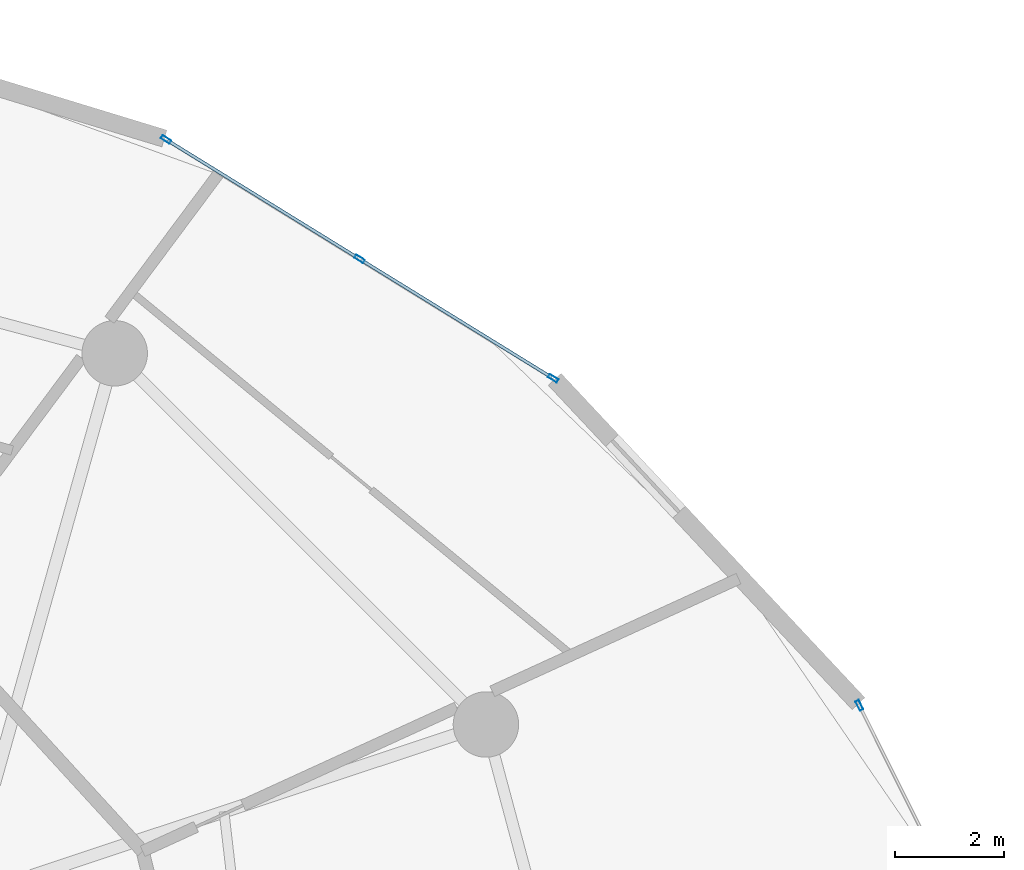
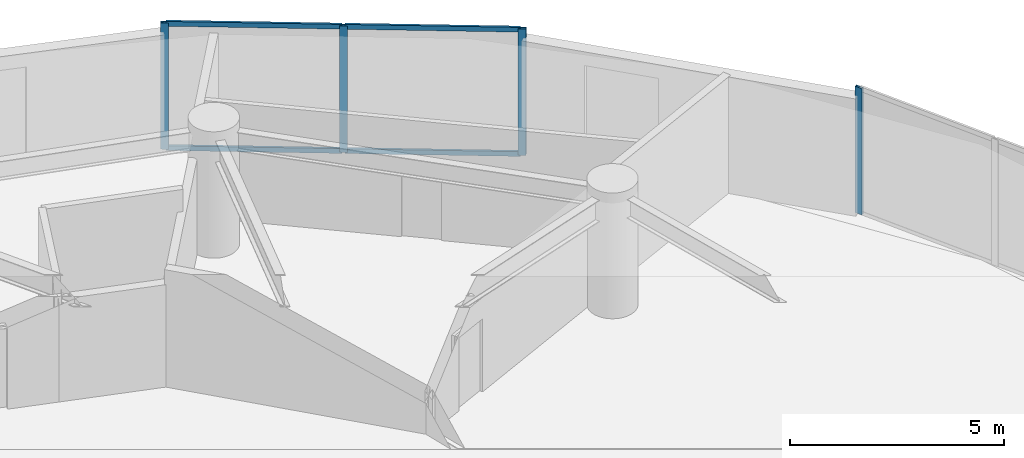
# One storey, part 17 of 24: 8 members, 2 elements without a shape of their own.
"""IFC4 building model written with IfcOpenShell, lengths in metres."""

from ifc_helpers import new_model, si_unit, direction, frame, origin, origin_2d, place, context, subcontext, project, spatial, hollow_rectangle, extrude, source, transform, mapped, material, layer, layer_set, material_profile, profile_set, type_object, element, aggregate, save


model = new_model("IFC4")

# Units and contexts
model_context = context("Model", 3, precision=1e-05, world=origin(), true_north=direction((0.0, 1.0)))
body_context = subcontext(model_context, "Body", "Model", "MODEL_VIEW")
ifc_project = project(units=[si_unit("LENGTHUNIT", "METRE"), si_unit("AREAUNIT", "SQUARE_METRE"), si_unit("VOLUMEUNIT", "CUBIC_METRE"), si_unit("PLANEANGLEUNIT", "RADIAN"), si_unit("MASSUNIT", "GRAM", prefix="KILO")], contexts=[model_context])

# Site, building, storey
site_placement = place(None, origin())
site = spatial("IfcSite", under=ifc_project, at=site_placement, CompositionType="ELEMENT")
building_placement = place(site_placement, origin())
building = spatial("IfcBuilding", under=site, at=building_placement, Name="Solvirekh Grand Hotel", CompositionType="ELEMENT")
storey_placement = place(building_placement, frame((0.0, 0.0, 86.0)))
storey = spatial("IfcBuildingStorey", under=building, at=storey_placement, Name="L21", CompositionType="ELEMENT", Elevation=86.0)

# Curtain wall, member
ifc_material = material(Name="Anodized Bronze Aluminium 6063-T6", Category="aluminium")
ifc_layer = layer(ifc_material, 0.18994140625)
ifc_layer_set = layer_set([ifc_layer], Name="Anodized Bronze Aluminium 6063-T6")
curtain_wall_type = type_object("IfcCurtainWallType", Name="CW_Sys2_LowZoneFlushBronzeCW", PredefinedType="NOTDEFINED", material=ifc_layer_set)
curtain_wall_1_placement = place(storey_placement, origin())
curtain_wall_1 = element("IfcCurtainWall", 1, at=curtain_wall_1_placement, inside=storey, type_object=curtain_wall_type, Name="L21 unitised bronze-glass curtain wall CW-L21-C03", PredefinedType="NOTDEFINED")
ifc_material_profile_1 = material_profile(ifc_material, hollow_rectangle(XDim=0.070068359375, YDim=0.18994140625, WallThickness=0.0048828125, at=origin_2d()), Name="ALU RHS 190X70X5")
ifc_profile_set_1 = profile_set([ifc_material_profile_1], Name="Anodized Bronze Aluminium 6063-T6")
member_type_1 = type_object("IfcMemberType", Name="CWMullion_Sys2", PredefinedType="MULLION", material=ifc_profile_set_1)
shared_shape_1 = source(origin(), body_context, "Body", "SweptSolid", [
    extrude(hollow_rectangle(XDim=0.070068359375, YDim=0.18994140625, WallThickness=0.0048828125, at=origin_2d()), origin(), (0.0, 0.0, 1.0), 3.60009765625),
])
member_1_placement = place(storey_placement, frame((22.95751953125, 9.651611328125, 0.0), z_axis=(0.0, 0.0, 1.0), x_axis=(-0.89486802482, -0.44633083935, 0.0)))
member_1 = element("IfcMember", 2, at=member_1_placement, type_object=member_type_1, Name="U02 mullion 3", PredefinedType="MULLION", context=body_context, shape_type="MappedRepresentation", body=[
    mapped(shared_shape_1, transform((0.0, 0.0, 0.0), x_axis=(1.0, 0.0, 0.0), y_axis=(0.0, 1.0, 0.0), z_axis=(0.0, 0.0, 1.0), scale=1.0)),
])
aggregate(curtain_wall_1, [member_1])

# Curtain wall, members
curtain_wall_2_placement = place(storey_placement, origin())
curtain_wall_2 = element("IfcCurtainWall", 3, at=curtain_wall_2_placement, inside=storey, type_object=curtain_wall_type, Name="L21 unitised bronze-glass curtain wall CW-L21-C05", PredefinedType="NOTDEFINED")
member_2_placement = place(storey_placement, frame((17.34033203125, 15.6484375, 0.0), z_axis=(0.0, 0.0, 1.0), x_axis=(-0.525118316572, -0.851029231931, 0.0)))
member_2 = element("IfcMember", 4, at=member_2_placement, type_object=member_type_1, Name="U02 mullion 1", PredefinedType="MULLION", context=body_context, shape_type="MappedRepresentation", body=[
    mapped(shared_shape_1, transform((0.0, 0.0, 0.0), x_axis=(1.0, 0.0, 0.0), y_axis=(0.0, 1.0, 0.0), z_axis=(0.0, 0.0, 1.0), scale=1.0)),
])
member_3_placement = place(storey_placement, frame((13.7900390625, 17.839111328125, 0.0), z_axis=(0.0, 0.0, 1.0), x_axis=(-0.525118316572, -0.851029231931, 0.0)))
member_3 = element("IfcMember", 5, at=member_3_placement, type_object=member_type_1, Name="U02 mullion 2", PredefinedType="MULLION", context=body_context, shape_type="MappedRepresentation", body=[
    mapped(shared_shape_1, transform((0.0, 0.0, 0.0), x_axis=(1.0, 0.0, 0.0), y_axis=(0.0, 1.0, 0.0), z_axis=(0.0, 0.0, 1.0), scale=1.0)),
])
member_4_placement = place(storey_placement, frame((10.23974609375, 20.029541015625, 0.0), z_axis=(0.0, 0.0, 1.0), x_axis=(-0.525118316572, -0.851029231931, 0.0)))
member_4 = element("IfcMember", 6, at=member_4_placement, type_object=member_type_1, Name="U02 mullion 3", PredefinedType="MULLION", context=body_context, shape_type="MappedRepresentation", body=[
    mapped(shared_shape_1, transform((0.0, 0.0, 0.0), x_axis=(1.0, 0.0, 0.0), y_axis=(0.0, 1.0, 0.0), z_axis=(0.0, 0.0, 1.0), scale=1.0)),
])
ifc_material_profile_2 = material_profile(ifc_material, hollow_rectangle(XDim=0.06005859375, YDim=0.135009765625, WallThickness=0.00390625, at=origin_2d()), Name="ALU RHS 135X60X4")
ifc_profile_set_2 = profile_set([ifc_material_profile_2], Name="Anodized Bronze Aluminium 6063-T6")
member_type_2 = type_object("IfcMemberType", Name="CWTransom_Sys2", PredefinedType="USERDEFINED", material=ifc_profile_set_2)
shared_shape_2 = source(origin(), body_context, "Body", "SweptSolid", [
    extrude(hollow_rectangle(XDim=0.06005859375, YDim=0.135009765625, WallThickness=0.00390625, at=origin_2d()), origin(), (0.0, 0.0, 1.0), 4.101806640625),
])
member_5_placement = place(storey_placement, frame((17.310546875, 15.666748046875, 0.030029296875), z_axis=(-0.851040540316, 0.525099989276, 0.0), x_axis=(-0.525099989276, -0.851040540316, 0.0)))
member_5 = element("IfcMember", 7, at=member_5_placement, type_object=member_type_2, Name="U02 transom 1.1", ObjectType="TRANSOM", PredefinedType="USERDEFINED", context=body_context, shape_type="MappedRepresentation", body=[
    mapped(shared_shape_2, transform((0.0, 0.0, 0.0), x_axis=(1.0, 0.0, 0.0), y_axis=(0.0, 1.0, 0.0), z_axis=(0.0, 0.0, 1.0), scale=1.0)),
])
member_6_placement = place(storey_placement, frame((17.310546875, 15.666748046875, 3.570068359375), z_axis=(-0.851040540316, 0.525099989276, 0.0), x_axis=(-0.525099989276, -0.851040540316, 0.0)))
member_6 = element("IfcMember", 8, at=member_6_placement, type_object=member_type_2, Name="U02 transom 1.2", ObjectType="TRANSOM", PredefinedType="USERDEFINED", context=body_context, shape_type="MappedRepresentation", body=[
    mapped(shared_shape_2, transform((0.0, 0.0, 0.0), x_axis=(1.0, 0.0, 0.0), y_axis=(0.0, 1.0, 0.0), z_axis=(0.0, 0.0, 1.0), scale=1.0)),
])
member_7_placement = place(storey_placement, frame((13.76025390625, 17.857421875, 0.030029296875), z_axis=(-0.851040540316, 0.525099989276, 0.0), x_axis=(-0.525099989276, -0.851040540316, 0.0)))
member_7 = element("IfcMember", 9, at=member_7_placement, type_object=member_type_2, Name="U02 transom 2.1", ObjectType="TRANSOM", PredefinedType="USERDEFINED", context=body_context, shape_type="MappedRepresentation", body=[
    mapped(shared_shape_2, transform((0.0, 0.0, 0.0), x_axis=(1.0, 0.0, 0.0), y_axis=(0.0, 1.0, 0.0), z_axis=(0.0, 0.0, 1.0), scale=1.0)),
])
member_8_placement = place(storey_placement, frame((13.76025390625, 17.857421875, 3.570068359375), z_axis=(-0.851040540316, 0.525099989276, 0.0), x_axis=(-0.525099989276, -0.851040540316, 0.0)))
member_8 = element("IfcMember", 10, at=member_8_placement, type_object=member_type_2, Name="U02 transom 2.2", ObjectType="TRANSOM", PredefinedType="USERDEFINED", context=body_context, shape_type="MappedRepresentation", body=[
    mapped(shared_shape_2, transform((0.0, 0.0, 0.0), x_axis=(1.0, 0.0, 0.0), y_axis=(0.0, 1.0, 0.0), z_axis=(0.0, 0.0, 1.0), scale=1.0)),
])
aggregate(curtain_wall_2, [member_2, member_3, member_4, member_5, member_6, member_7, member_8])

save(model, "model.ifc")
